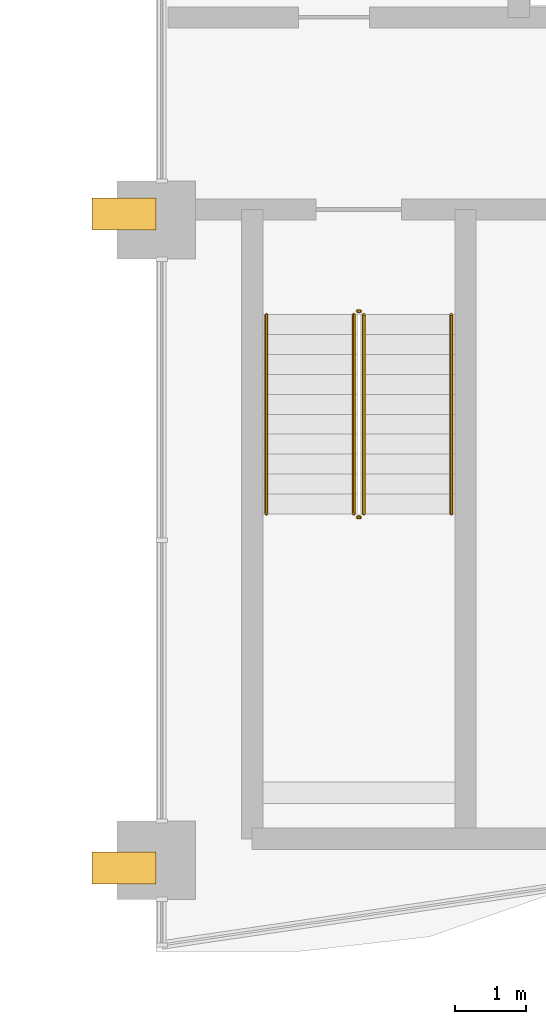
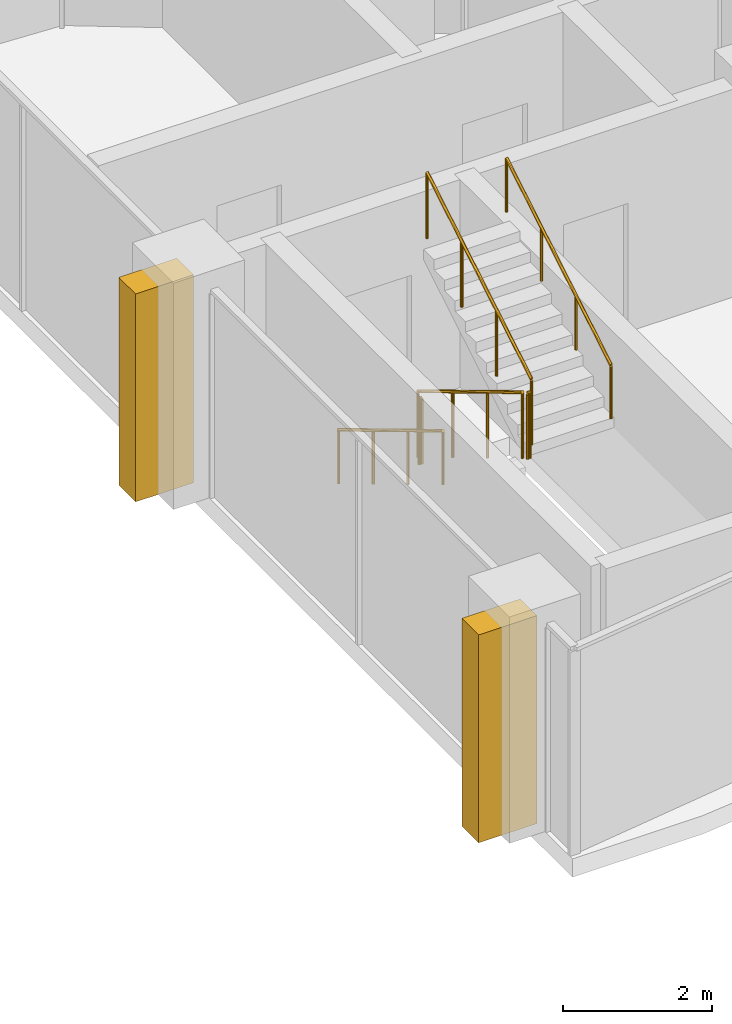
# One storey, part 21 of 23: 6 railings, 2 coverings.
"""IFC4 building model written with IfcOpenShell, lengths in metres."""

import ifcopenshell
import ifcopenshell.guid

model = None  # the IFC model being written
_history = None  # IfcOwnerHistory: only IFC2X3 demands one
_inside = {}  # id of a spatial element -> (the spatial element, [elements in it])
_under = {}  # id of a project, library or spatial element -> (it, [spatial elements below it])
_declared = {}  # id of a project -> (the project, [libraries it declares])
_typed = {}  # id of a type object -> (the type object, [elements of that type])
_made_of = {}  # id of a material, layer set ... -> (it, [elements and type objects made of it])


def new_model(schema):
    """Start an empty IFC model of exactly this schema.

    Asked for "IFC4X3", IfcOpenShell would pick the latest addendum, in which some entities
    have other attributes; the version numbers below select the first issue.
    IFC2X3 requires an IfcOwnerHistory on every rooted entity: one is made here for all.
    """
    global model, _history
    if schema == "IFC4X3":
        model = ifcopenshell.file(schema_version=(4, 3, 0, 0))
    else:
        model = ifcopenshell.file(schema=schema)
    _inside.clear()
    _under.clear()
    _declared.clear()
    _typed.clear()
    _made_of.clear()
    _history = None
    if model.schema == "IFC2X3":
        org = make("IfcOrganization", Name="unknown")
        user = make(
            "IfcPersonAndOrganization",
            ThePerson=make("IfcPerson", FamilyName="unknown"),
            TheOrganization=org,
        )
        app = make(
            "IfcApplication",
            ApplicationDeveloper=org,
            Version="unknown",
            ApplicationFullName="unknown",
            ApplicationIdentifier="unknown",
        )
        _history = make(
            "IfcOwnerHistory",
            OwningUser=user,
            OwningApplication=app,
            ChangeAction="ADDED",
            CreationDate=0,
        )
    return model


def make(cls, **values):
    """One entity of the class cls with the attributes given. An attribute that is None is left unset."""
    return model.create_entity(
        cls, **{name: value for name, value in values.items() if value is not None}
    )


def rooted(cls, **values):
    """An entity with a GlobalId (a new one), such as an element, a storey or a relation."""
    return make(cls, GlobalId=ifcopenshell.guid.new(), OwnerHistory=_history, **values)


def si_unit(unit_type, name, prefix=None):
    """IfcSIUnit, for example si_unit("LENGTHUNIT", "METRE", prefix="MILLI")."""
    return make("IfcSIUnit", UnitType=unit_type, Prefix=prefix, Name=name)


def assignment(units):
    """IfcUnitAssignment: the units of a project."""
    return None if units is None else make("IfcUnitAssignment", Units=units)


def point(xyz):
    """IfcCartesianPoint."""
    return None if xyz is None else make("IfcCartesianPoint", Coordinates=xyz)


def direction(xyz):
    """IfcDirection."""
    return None if xyz is None else make("IfcDirection", DirectionRatios=xyz)


def frame(location, z_axis=None, x_axis=None):
    """IfcAxis2Placement3D, a coordinate frame: its origin and axes. An axis left out is left unset."""
    return make(
        "IfcAxis2Placement3D",
        Location=point(location),
        Axis=direction(z_axis),
        RefDirection=direction(x_axis),
    )


def frame_2d(location, x_axis=None):
    """IfcAxis2Placement2D, a coordinate frame in the plane: its origin and x axis."""
    return make(
        "IfcAxis2Placement2D", Location=point(location), RefDirection=direction(x_axis)
    )


def origin():
    """The frame at (0, 0, 0) with its axes left unset."""
    return frame((0.0, 0.0, 0.0))


def origin_2d():
    """The frame at (0, 0) in the plane with its x axis left unset."""
    return frame_2d((0.0, 0.0))


def place(relative_to, where):
    """IfcLocalPlacement: puts the frame where relative to a parent placement (None: the world)."""
    return make(
        "IfcLocalPlacement", PlacementRelTo=relative_to, RelativePlacement=where
    )


def context(
    kind, dimensions, precision=None, world=None, true_north=None, identifier=None
):
    """IfcGeometricRepresentationContext, for example the 3D "Model" context."""
    return make(
        "IfcGeometricRepresentationContext",
        ContextIdentifier=identifier,
        ContextType=kind,
        CoordinateSpaceDimension=dimensions,
        Precision=precision,
        WorldCoordinateSystem=world,
        TrueNorth=true_north,
    )


def subcontext(parent, identifier, kind, view, scale=None):
    """IfcGeometricRepresentationSubContext, for example "Body" below "Model"."""
    return make(
        "IfcGeometricRepresentationSubContext",
        ContextIdentifier=identifier,
        ContextType=kind,
        ParentContext=parent,
        TargetScale=scale,
        TargetView=view,
    )


def project(units=None, contexts=None):
    """IfcProject with its units and contexts."""
    return rooted(
        "IfcProject",
        Name="project",
        RepresentationContexts=contexts,
        UnitsInContext=assignment(units),
    )


def spatial(cls, under=None, at=None, **own):
    """A site, building, storey or space (cls), placed at a placement, below another one or the project."""
    s = rooted(cls, ObjectPlacement=at, **own)
    if under is not None:
        _under.setdefault(under.id(), (under, []))[1].append(s)
    return s


def profile(cls, at=None, kind="AREA", **sizes):
    """A parametric profile (cls). Its sizes go by their IFC names, for example OverallWidth=200.0."""
    return make(cls, ProfileType=kind, Position=at, **sizes)


def rectangle(**sizes):
    """IfcRectangleProfileDef."""
    return profile("IfcRectangleProfileDef", **sizes)


def circle(**sizes):
    """IfcCircleProfileDef."""
    return profile("IfcCircleProfileDef", **sizes)


def extrude(swept, where, along, depth):
    """IfcExtrudedAreaSolid: the profile swept, set in the frame where, extruded along a direction by depth."""
    return make(
        "IfcExtrudedAreaSolid",
        SweptArea=swept,
        Position=where,
        ExtrudedDirection=direction(along),
        Depth=depth,
    )


def shape(context_of_items, identifier, shape_type, items):
    """IfcShapeRepresentation: the items that make up one representation, for example the "Body"."""
    return make(
        "IfcShapeRepresentation",
        ContextOfItems=context_of_items,
        RepresentationIdentifier=identifier,
        RepresentationType=shape_type,
        Items=items,
    )


def material(Name=None, Category=None):
    """IfcMaterial."""
    return make("IfcMaterial", Name=Name, Category=Category)


def layer(
    of_material, thickness, ventilated=None, Name=None, Category=None, Priority=None
):
    """IfcMaterialLayer: one layer of a wall or slab, of a material (None: an air gap)."""
    return make(
        "IfcMaterialLayer",
        Material=of_material,
        LayerThickness=thickness,
        IsVentilated=ventilated,
        Name=Name,
        Category=Category,
        Priority=Priority,
    )


def layer_set(layers, Name=None):
    """IfcMaterialLayerSet."""
    return make("IfcMaterialLayerSet", MaterialLayers=layers, LayerSetName=Name)


def made_of(thing, what):
    """Note that an element or type object is made of a material, layer set ...; save() writes the relation."""
    if what is not None:
        _made_of.setdefault(what.id(), (what, []))[1].append(thing)
    return thing


def type_object(cls, material=None, **own):
    """A type object (cls), such as IfcWallType, which elements share."""
    return made_of(rooted(cls, **own), material)


def element(
    cls,
    number,
    at=None,
    inside=None,
    cuts=None,
    type_object=None,
    material=None,
    context=None,
    identifier="Body",
    shape_type=None,
    held_by="IfcProductDefinitionShape",
    body=None,
    shapes=None,
    **own,
):
    """One element of the class cls, such as IfcWall. Its Tag is "e" and its number.

    at: its placement. inside: the storey or other place that contains it. cuts: it is an
    opening in that element (IfcRelVoidsElement). A single representation is given by context,
    identifier, shape_type and body (its items); several are given by shapes. held_by: the class
    of the entity that holds the representations. save() writes the other relations.
    """
    e = rooted(cls, Tag="e%d" % number, ObjectPlacement=at, **own)
    if body is not None:
        shapes = [shape(context, identifier, shape_type, body)]
    if shapes is not None:
        e.Representation = make(held_by, Representations=shapes)
    if inside is not None:
        _inside.setdefault(inside.id(), (inside, []))[1].append(e)
    if cuts is not None:
        rooted(
            "IfcRelVoidsElement", RelatingBuildingElement=cuts, RelatedOpeningElement=e
        )
    if type_object is not None:
        _typed.setdefault(type_object.id(), (type_object, []))[1].append(e)
    return made_of(e, material)


def aggregate(whole, parts):
    """IfcRelAggregates: a whole, such as a stair, and the parts it consists of."""
    return rooted("IfcRelAggregates", RelatingObject=whole, RelatedObjects=parts)


def save(model, path):
    """Write the relations noted so far, then the file.

    IfcRelAggregates (storeys below a building ...), IfcRelContainedInSpatialStructure (elements
    in a storey), IfcRelDefinesByType, IfcRelAssociatesMaterial and IfcRelDeclares: one each for
    every whole, place, type object, material and project.
    """
    for whole, parts in _under.values():
        aggregate(whole, parts)
    for where, things in _inside.values():
        rooted(
            "IfcRelContainedInSpatialStructure",
            RelatedElements=things,
            RelatingStructure=where,
        )
    for kind, things in _typed.values():
        rooted("IfcRelDefinesByType", RelatedObjects=things, RelatingType=kind)
    for what, things in _made_of.values():
        rooted("IfcRelAssociatesMaterial", RelatedObjects=things, RelatingMaterial=what)
    for by, libraries in _declared.values():
        rooted("IfcRelDeclares", RelatingContext=by, RelatedDefinitions=libraries)
    model.write(path)


model = new_model("IFC4")

# Units and contexts
model_context = context("Model", 3, precision=1e-05, world=origin(), true_north=direction((0.0, 1.0)))
body_context = subcontext(model_context, "Body", "Model", "MODEL_VIEW")
ifc_project = project(units=[si_unit("LENGTHUNIT", "METRE"), si_unit("AREAUNIT", "SQUARE_METRE"), si_unit("VOLUMEUNIT", "CUBIC_METRE"), si_unit("PLANEANGLEUNIT", "RADIAN"), si_unit("MASSUNIT", "GRAM", prefix="KILO")], contexts=[model_context])

# Site, building, storey
site_placement = place(None, origin())
site = spatial("IfcSite", under=ifc_project, at=site_placement, CompositionType="ELEMENT")
building_placement = place(site_placement, origin())
building = spatial("IfcBuilding", under=site, at=building_placement, Name="Ogive Portal Towers", CompositionType="ELEMENT")
storey_placement = place(building_placement, frame((0.0, 0.0, 168.10009765625)))
storey = spatial("IfcBuildingStorey", under=building, at=storey_placement, Name="L41", CompositionType="ELEMENT", Elevation=168.10009765625)

# Coverings
ifc_material_1 = material(Name="Limestone cladding on lightweight block wall", Category="masonry")
ifc_layer = layer(ifc_material_1, 0.449951171875)
ifc_layer_set = layer_set([ifc_layer], Name="BUTTRESS PIER STONE")
covering_type = type_object("IfcCoveringType", Name="BUTTRESS PIER STONE", PredefinedType="CLADDING", material=ifc_layer_set)
for number, where, z_axis, x_axis, name in (
    (1, (85.050048828125, 30.58447265625, 0.0), (0.0, 0.0, 1.0), (1.0, 0.0, 0.0), "Buttress pier A2-F01.1"),
    (2, (85.050048828125, 21.39208984375, 0.0), (0.0, 0.0, 1.0), (1.0, 0.0, 0.0), "Buttress pier A2-F01.3"),
):
    element("IfcCovering", number, at=place(storey_placement, frame(where, z_axis=z_axis, x_axis=x_axis)), inside=storey, type_object=covering_type, Name=name, PredefinedType="CLADDING", context=body_context, shape_type="SweptSolid", body=[
        extrude(rectangle(XDim=0.89990234375, YDim=0.449951171875, at=origin_2d()), origin(), (0.0, 0.0, 1.0), 3.39990234375),
    ])

# Railings
ifc_material_2 = material(Name="Stainless steel balustrade", Category="steel")
railing_type_1 = type_object("IfcRailingType", Name="INT-GUARD", PredefinedType="GUARDRAIL", material=ifc_material_2)
railing_1_placement = place(storey_placement, frame((88.280029296875, 29.169921875, 0.16796875)))
element("IfcRailing", 3, at=railing_1_placement, inside=storey, type_object=railing_type_1, Name="L41 ST-A4 stair guard 1", PredefinedType="GUARDRAIL", context=body_context, shape_type="SweptSolid", body=[
    extrude(circle(Radius=0.02392578125, at=origin_2d()), frame((0.0, 0.0, 1.076171875), z_axis=(0.0, -0.857222391501, 0.514946377315), x_axis=(1.0, 0.0, 0.0)), (0.0, 0.0, 1.0), 3.26611328125),
    extrude(circle(Radius=0.02099609375, at=origin_2d()), origin(), (0.0, 0.0, 1.0), 1.052001953125),
    extrude(circle(Radius=0.02099609375, at=origin_2d()), frame((0.0, -0.933349609375, 0.560546875)), (0.0, 0.0, 1.0), 1.052001953125),
    extrude(circle(Radius=0.02099609375, at=origin_2d()), frame((0.0, -1.866455078125, 1.121337890625)), (0.0, 0.0, 1.0), 1.052001953125),
    extrude(circle(Radius=0.02099609375, at=origin_2d()), frame((0.0, -2.7998046875, 1.681884765625)), (0.0, 0.0, 1.0), 1.052001953125),
])
railing_2_placement = place(storey_placement, frame((88.330078125, 26.320068359375, 1.849853515625)))
element("IfcRailing", 4, at=railing_2_placement, inside=storey, type_object=railing_type_1, Name="L41 ST-A4 stair guard 2", PredefinedType="GUARDRAIL", context=body_context, shape_type="SweptSolid", body=[
    extrude(circle(Radius=0.02392578125, at=origin_2d()), frame((0.0, 0.0, 1.076171875), z_axis=(1.0, 0.0, 0.0), x_axis=(0.0, 1.0, 0.0)), (0.0, 0.0, 1.0), 0.0400390625),
    extrude(circle(Radius=0.02099609375, at=origin_2d()), origin(), (0.0, 0.0, 1.0), 1.052001953125),
    extrude(circle(Radius=0.02099609375, at=origin_2d()), frame((0.0400390625, 0.0, 0.0)), (0.0, 0.0, 1.0), 1.052001953125),
])
railing_3_placement = place(storey_placement, frame((88.419921875, 26.3701171875, 2.01806640625)))
element("IfcRailing", 5, at=railing_3_placement, inside=storey, type_object=railing_type_1, Name="L41 ST-A4 stair guard 3", PredefinedType="GUARDRAIL", context=body_context, shape_type="SweptSolid", body=[
    extrude(circle(Radius=0.02392578125, at=origin_2d()), frame((0.0, 0.0, 1.076171875), z_axis=(0.0, 0.857222391501, 0.514946377315), x_axis=(-1.0, 0.0, 0.0)), (0.0, 0.0, 1.0), 3.26611328125),
    extrude(circle(Radius=0.02099609375, at=origin_2d()), origin(), (0.0, 0.0, 1.0), 1.052001953125),
    extrude(circle(Radius=0.02099609375, at=origin_2d()), frame((0.0, 0.933349609375, 0.560546875)), (0.0, 0.0, 1.0), 1.052001953125),
    extrude(circle(Radius=0.02099609375, at=origin_2d()), frame((0.0, 1.866455078125, 1.121337890625)), (0.0, 0.0, 1.0), 1.052001953125),
    extrude(circle(Radius=0.02099609375, at=origin_2d()), frame((0.0, 2.7998046875, 1.681884765625)), (0.0, 0.0, 1.0), 1.052001953125),
])
railing_4_placement = place(storey_placement, frame((88.330078125, 29.219970703125, 0.0)))
element("IfcRailing", 6, at=railing_4_placement, inside=storey, type_object=railing_type_1, Name="L41 ST-A4 stair guard 4", PredefinedType="GUARDRAIL", context=body_context, shape_type="SweptSolid", body=[
    extrude(circle(Radius=0.02392578125, at=origin_2d()), frame((0.0, 0.0, 1.076171875), z_axis=(1.0, 0.0, 0.0), x_axis=(0.0, 1.0, 0.0)), (0.0, 0.0, 1.0), 0.0400390625),
    extrude(circle(Radius=0.02099609375, at=origin_2d()), origin(), (0.0, 0.0, 1.0), 1.052001953125),
    extrude(circle(Radius=0.02099609375, at=origin_2d()), frame((0.0400390625, 0.0, 0.0)), (0.0, 0.0, 1.0), 1.052001953125),
])
ifc_material_3 = material(Name="Stainless steel handrail", Category="steel")
railing_type_2 = type_object("IfcRailingType", Name="INT-HANDRAIL", PredefinedType="HANDRAIL", material=ifc_material_3)
railing_5_placement = place(storey_placement, frame((87.050048828125, 29.169921875, 0.16796875)))
element("IfcRailing", 7, at=railing_5_placement, inside=storey, type_object=railing_type_2, Name="L41 ST-A4 stair handrail 1", PredefinedType="HANDRAIL", context=body_context, shape_type="SweptSolid", body=[
    extrude(circle(Radius=0.02392578125, at=origin_2d()), frame((0.0, 0.0, 0.8759765625), z_axis=(0.0, -0.857222391501, 0.514946377315), x_axis=(1.0, 0.0, 0.0)), (0.0, 0.0, 1.0), 3.26611328125),
    extrude(circle(Radius=0.02099609375, at=origin_2d()), origin(), (0.0, 0.0, 1.0), 0.851806640625),
    extrude(circle(Radius=0.02099609375, at=origin_2d()), frame((0.0, -0.933349609375, 0.560546875)), (0.0, 0.0, 1.0), 0.851806640625),
    extrude(circle(Radius=0.02099609375, at=origin_2d()), frame((0.0, -1.866455078125, 1.121337890625)), (0.0, 0.0, 1.0), 0.851806640625),
    extrude(circle(Radius=0.02099609375, at=origin_2d()), frame((0.0, -2.7998046875, 1.681884765625)), (0.0, 0.0, 1.0), 0.851806640625),
])
railing_6_placement = place(storey_placement, frame((89.64990234375, 26.3701171875, 2.01806640625)))
element("IfcRailing", 8, at=railing_6_placement, inside=storey, type_object=railing_type_2, Name="L41 ST-A4 stair handrail 2", PredefinedType="HANDRAIL", context=body_context, shape_type="SweptSolid", body=[
    extrude(circle(Radius=0.02392578125, at=origin_2d()), frame((0.0, 0.0, 0.8759765625), z_axis=(0.0, 0.857222391501, 0.514946377315), x_axis=(-1.0, 0.0, 0.0)), (0.0, 0.0, 1.0), 3.26611328125),
    extrude(circle(Radius=0.02099609375, at=origin_2d()), origin(), (0.0, 0.0, 1.0), 0.851806640625),
    extrude(circle(Radius=0.02099609375, at=origin_2d()), frame((0.0, 0.933349609375, 0.560546875)), (0.0, 0.0, 1.0), 0.851806640625),
    extrude(circle(Radius=0.02099609375, at=origin_2d()), frame((0.0, 1.866455078125, 1.121337890625)), (0.0, 0.0, 1.0), 0.851806640625),
    extrude(circle(Radius=0.02099609375, at=origin_2d()), frame((0.0, 2.7998046875, 1.681884765625)), (0.0, 0.0, 1.0), 0.851806640625),
])

save(model, "model.ifc")
